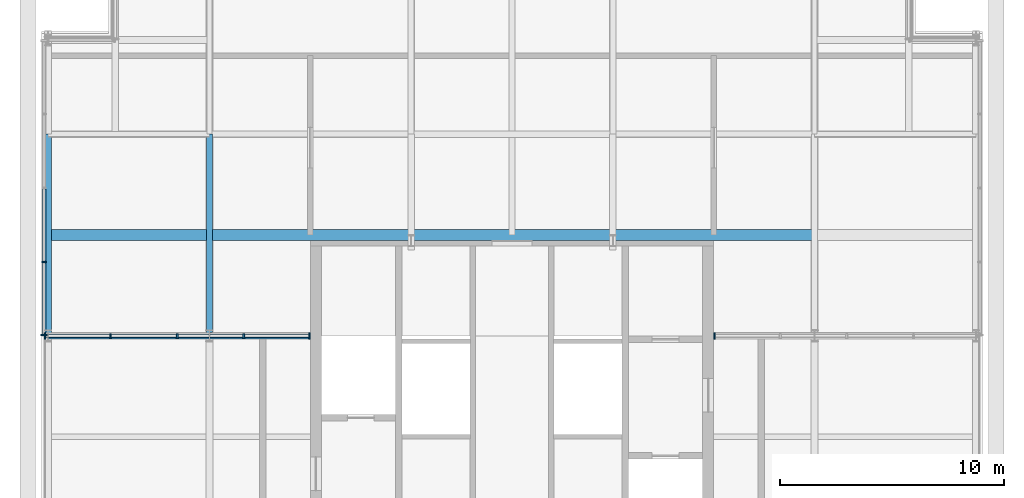
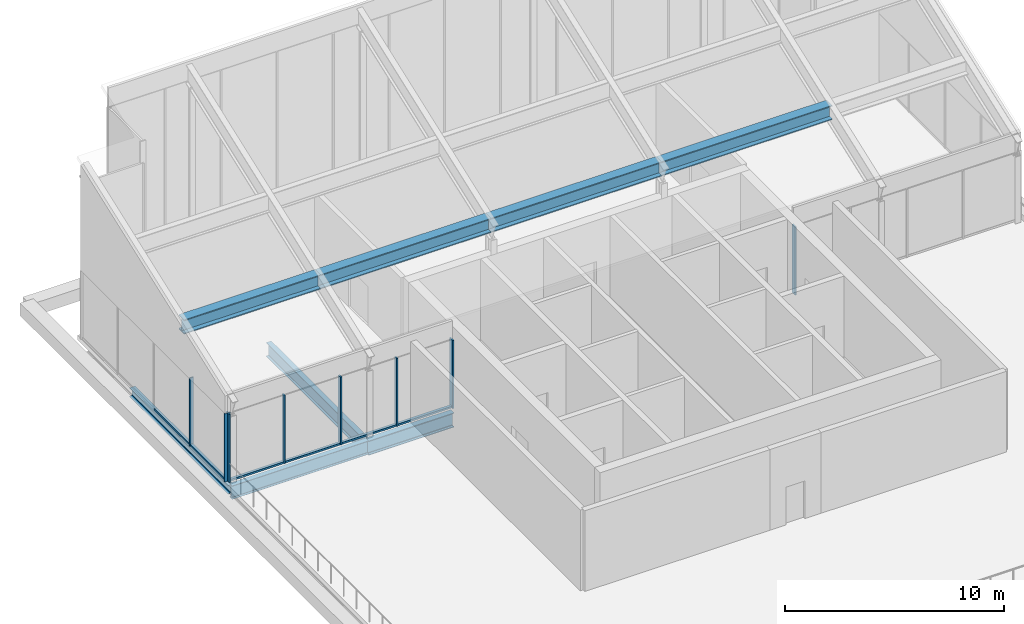
# One storey, part 2 of 10: 18 members, 4 beams, 3 elements without a shape of their own.
"""IFC4 building model written with IfcOpenShell, lengths in metres."""

from ifc_helpers import new_model, si_unit, direction, frame, origin, origin_2d, place, context, subcontext, project, spatial, rectangle, i_section, extrude, material, layer, layer_set, material_profile, profile_set, type_object, element, aggregate, save


model = new_model("IFC4")

# Units and contexts
model_context = context("Model", 3, precision=1e-05, world=origin(), true_north=direction((0.0, 1.0)))
body_context = subcontext(model_context, "Body", "Model", "MODEL_VIEW")
ifc_project = project(units=[si_unit("LENGTHUNIT", "METRE"), si_unit("AREAUNIT", "SQUARE_METRE"), si_unit("VOLUMEUNIT", "CUBIC_METRE"), si_unit("PLANEANGLEUNIT", "RADIAN"), si_unit("MASSUNIT", "GRAM", prefix="KILO")], contexts=[model_context])

# Site, building, storey
site_placement = place(None, origin())
site = spatial("IfcSite", under=ifc_project, at=site_placement, CompositionType="ELEMENT")
building_placement = place(site_placement, origin())
building = spatial("IfcBuilding", under=site, at=building_placement, Name="Malebo Sky Hospital", CompositionType="ELEMENT")
storey_placement = place(building_placement, frame((0.0, 0.0, 290.0)))
storey = spatial("IfcBuildingStorey", under=building, at=storey_placement, Name="RF", CompositionType="ELEMENT", Elevation=290.0)

# Curtain wall, members
ifc_material_1 = material(Name="Anodised aluminium, natural silver", Category="aluminium")
ifc_layer = layer(ifc_material_1, 0.25)
ifc_layer_set = layer_set([ifc_layer], Name="PENTHOUSE LOUVRE SCREEN")
curtain_wall_type = type_object("IfcCurtainWallType", Name="PENTHOUSE LOUVRE SCREEN", PredefinedType="NOTDEFINED", material=ifc_layer_set)
curtain_wall_1_placement = place(storey_placement, origin())
curtain_wall_1 = element("IfcCurtainWall", 1, at=curtain_wall_1_placement, inside=storey, type_object=curtain_wall_type, Name="ROOF curtain wall SW", PredefinedType="NOTDEFINED")
ifc_material_profile_1 = material_profile(ifc_material_1, rectangle(XDim=0.14990234375, YDim=0.10009765625, at=origin_2d()), Name="ALUMINIUM TRANSOM 150x100")
ifc_profile_set_1 = profile_set([ifc_material_profile_1], Name="Anodised aluminium, natural silver")
member_type_1 = type_object("IfcMemberType", Name="ALUMINIUM TRANSOM 150x100", PredefinedType="USERDEFINED", material=ifc_profile_set_1)
member_1_placement = place(storey_placement, frame((39.199951171875, 66.5, 0.050048828125), z_axis=(1.0, 0.0, 0.0), x_axis=(0.0, 1.0, 0.0)))
member_1 = element("IfcMember", 2, at=member_1_placement, type_object=member_type_1, Name="Transom 1", ObjectType="TRANSOM", PredefinedType="USERDEFINED", context=body_context, shape_type="SweptSolid", body=[
    extrude(rectangle(XDim=0.14990234375, YDim=0.10009765625, at=origin_2d()), origin(), (0.0, 0.0, 1.0), 2.8564453125),
])
member_2_placement = place(storey_placement, frame((42.13134765625, 66.5, 0.050048828125), z_axis=(1.0, 0.0, 0.0), x_axis=(0.0, 1.0, 0.0)))
member_2 = element("IfcMember", 3, at=member_2_placement, type_object=member_type_1, Name="Transom 2", ObjectType="TRANSOM", PredefinedType="USERDEFINED", context=body_context, shape_type="SweptSolid", body=[
    extrude(rectangle(XDim=0.14990234375, YDim=0.10009765625, at=origin_2d()), origin(), (0.0, 0.0, 1.0), 2.8935546875),
])
member_3_placement = place(storey_placement, frame((45.10009765625, 66.5, 0.050048828125), z_axis=(1.0, 0.0, 0.0), x_axis=(0.0, 1.0, 0.0)))
member_3 = element("IfcMember", 4, at=member_3_placement, type_object=member_type_1, Name="Transom 3", ObjectType="TRANSOM", PredefinedType="USERDEFINED", context=body_context, shape_type="SweptSolid", body=[
    extrude(rectangle(XDim=0.14990234375, YDim=0.10009765625, at=origin_2d()), origin(), (0.0, 0.0, 1.0), 2.8935546875),
])
member_4_placement = place(storey_placement, frame((48.068603515625, 66.5, 0.050048828125), z_axis=(1.0, 0.0, 0.0), x_axis=(0.0, 1.0, 0.0)))
member_4 = element("IfcMember", 5, at=member_4_placement, type_object=member_type_1, Name="Transom 4", ObjectType="TRANSOM", PredefinedType="USERDEFINED", context=body_context, shape_type="SweptSolid", body=[
    extrude(rectangle(XDim=0.14990234375, YDim=0.10009765625, at=origin_2d()), origin(), (0.0, 0.0, 1.0), 2.8564453125),
])

curtain_wall_2_placement = place(storey_placement, origin())
curtain_wall_2 = element("IfcCurtainWall", 6, at=curtain_wall_2_placement, inside=storey, type_object=curtain_wall_type, Name="ROOF curtain wall W", PredefinedType="NOTDEFINED")
member_5_placement = place(storey_placement, frame((39.125, 73.0625, 0.050048828125), z_axis=(0.0, -1.0, 0.0), x_axis=(1.0, 0.0, 0.0)))
member_5 = element("IfcMember", 7, at=member_5_placement, type_object=member_type_1, Name="Transom 3", ObjectType="TRANSOM", PredefinedType="USERDEFINED", context=body_context, shape_type="SweptSolid", body=[
    extrude(rectangle(XDim=0.14990234375, YDim=0.10009765625, at=origin_2d()), origin(), (0.0, 0.0, 1.0), 3.22509765625),
])
member_6_placement = place(storey_placement, frame((39.125, 69.762451171875, 0.050048828125), z_axis=(0.0, -1.0, 0.0), x_axis=(1.0, 0.0, 0.0)))
member_6 = element("IfcMember", 8, at=member_6_placement, type_object=member_type_1, Name="Transom 4", ObjectType="TRANSOM", PredefinedType="USERDEFINED", context=body_context, shape_type="SweptSolid", body=[
    extrude(rectangle(XDim=0.14990234375, YDim=0.10009765625, at=origin_2d()), origin(), (0.0, 0.0, 1.0), 3.1875),
])

# Members
ifc_material_2 = material(Name="Steel S355", Category="steel")
ifc_material_profile_2 = material_profile(ifc_material_2, i_section(OverallWidth=0.5, OverallDepth=0.800048828125, WebThickness=0.030029296875, FlangeThickness=0.050048828125, at=origin_2d()), Name="PG 800x500x30x50")
ifc_profile_set_2 = profile_set([ifc_material_profile_2], Name="Steel S355")
member_type_2 = type_object("IfcMemberType", Name="CROWN PURLIN PG 800x500x30x50", PredefinedType="PURLIN", material=ifc_profile_set_2)
member_7_placement = place(storey_placement, frame((39.300048828125, 71.0, 5.960693359375), z_axis=(1.0, 0.0, 0.0), x_axis=(0.0, 1.0, 0.0)))
element("IfcMember", 9, at=member_7_placement, inside=storey, type_object=member_type_2, Name="Crown purlin +9.0", PredefinedType="PURLIN", context=body_context, shape_type="SweptSolid", body=[
    extrude(i_section(OverallWidth=0.5, OverallDepth=0.800048828125, WebThickness=0.030029296875, FlangeThickness=0.050048828125, at=origin_2d()), origin(), (0.0, 0.0, 1.0), 7.199951171875),
])
for number, where, z_axis, x_axis, name in (
    (10, (46.5, 71.0, 5.960693359375), (1.0, 0.0, 0.0), (0.0, 1.0, 0.0), "Crown purlin +9.0"),
    (11, (55.5, 71.0, 5.960693359375), (1.0, 0.0, 0.0), (0.0, 1.0, 0.0), "Crown purlin +9.0"),
    (12, (64.5, 71.0, 5.960693359375), (1.0, 0.0, 0.0), (0.0, 1.0, 0.0), "Crown purlin +9.0"),
):
    element("IfcMember", number, at=place(storey_placement, frame(where, z_axis=z_axis, x_axis=x_axis)), inside=storey, type_object=member_type_2, Name=name, PredefinedType="PURLIN", context=body_context, shape_type="SweptSolid", body=[
        extrude(i_section(OverallWidth=0.5, OverallDepth=0.800048828125, WebThickness=0.030029296875, FlangeThickness=0.050048828125, at=origin_2d()), origin(), (0.0, 0.0, 1.0), 9.0),
    ])

# Member
ifc_material_profile_3 = material_profile(ifc_material_1, rectangle(XDim=0.074951171875, YDim=0.199951171875, at=origin_2d()), Name="CW6 ALUMINIUM FIN MULLION 75x200")
ifc_profile_set_3 = profile_set([ifc_material_profile_3], Name="Anodised aluminium, natural silver")
member_type_3 = type_object("IfcMemberType", Name="CW6 ALUMINIUM FIN MULLION 75x200", PredefinedType="MULLION", material=ifc_profile_set_3)
member_8_placement = place(storey_placement, frame((42.09375, 66.5, 0.0), z_axis=(0.0, 0.0, 1.0), x_axis=(1.0, 0.0, 0.0)))
member_8 = element("IfcMember", 13, at=member_8_placement, type_object=member_type_3, Name="Fin mullion 2", PredefinedType="MULLION", context=body_context, shape_type="SweptSolid", body=[
    extrude(rectangle(XDim=0.074951171875, YDim=0.199951171875, at=origin_2d()), origin(), (0.0, 0.0, 1.0), 3.800048828125),
])

member_9_placement = place(storey_placement, frame((45.0625, 66.5, 0.0), z_axis=(0.0, 0.0, 1.0), x_axis=(1.0, 0.0, 0.0)))
member_9 = element("IfcMember", 14, at=member_9_placement, type_object=member_type_3, Name="Fin mullion 3", PredefinedType="MULLION", context=body_context, shape_type="SweptSolid", body=[
    extrude(rectangle(XDim=0.074951171875, YDim=0.199951171875, at=origin_2d()), origin(), (0.0, 0.0, 1.0), 3.800048828125),
])

member_10_placement = place(storey_placement, frame((48.03125, 66.5, 0.0), z_axis=(0.0, 0.0, 1.0), x_axis=(1.0, 0.0, 0.0)))
member_10 = element("IfcMember", 15, at=member_10_placement, type_object=member_type_3, Name="Fin mullion 4", PredefinedType="MULLION", context=body_context, shape_type="SweptSolid", body=[
    extrude(rectangle(XDim=0.074951171875, YDim=0.199951171875, at=origin_2d()), origin(), (0.0, 0.0, 1.0), 3.800048828125),
])

member_11_placement = place(storey_placement, frame((39.125, 69.800048828125, 0.0), z_axis=(0.0, 0.0, 1.0), x_axis=(0.0, -1.0, 0.0)))
member_11 = element("IfcMember", 16, at=member_11_placement, type_object=member_type_3, Name="Fin mullion 4", PredefinedType="MULLION", context=body_context, shape_type="SweptSolid", body=[
    extrude(rectangle(XDim=0.074951171875, YDim=0.199951171875, at=origin_2d()), origin(), (0.0, 0.0, 1.0), 3.800048828125),
])

ifc_material_profile_4 = material_profile(ifc_material_1, rectangle(XDim=0.074951171875, YDim=0.300048828125, at=origin_2d()), Name="CW6 ALUMINIUM FIN MULLION 75x300")
ifc_profile_set_4 = profile_set([ifc_material_profile_4], Name="Anodised aluminium, natural silver")
member_type_4 = type_object("IfcMemberType", Name="CW6 ALUMINIUM FIN MULLION 75x300", PredefinedType="MULLION", material=ifc_profile_set_4)
member_12_placement = place(storey_placement, frame((39.16259765625, 66.5, 0.0), z_axis=(0.0, 0.0, 1.0), x_axis=(1.0, 0.0, 0.0)))
member_12 = element("IfcMember", 17, at=member_12_placement, type_object=member_type_4, Name="Fin mullion 1", PredefinedType="MULLION", context=body_context, shape_type="SweptSolid", body=[
    extrude(rectangle(XDim=0.074951171875, YDim=0.300048828125, at=origin_2d()), origin(), (0.0, 0.0, 1.0), 3.800048828125),
])

member_13_placement = place(storey_placement, frame((50.96240234375, 66.5, 0.0), z_axis=(0.0, 0.0, 1.0), x_axis=(1.0, 0.0, 0.0)))
member_13 = element("IfcMember", 18, at=member_13_placement, type_object=member_type_4, Name="Fin mullion 5", PredefinedType="MULLION", context=body_context, shape_type="SweptSolid", body=[
    extrude(rectangle(XDim=0.074951171875, YDim=0.300048828125, at=origin_2d()), origin(), (0.0, 0.0, 1.0), 3.800048828125),
])

aggregate(curtain_wall_1, [member_12, member_8, member_9, member_10, member_13, member_1, member_2, member_3, member_4])

# Curtain wall, member
curtain_wall_3_placement = place(storey_placement, origin())
curtain_wall_3 = element("IfcCurtainWall", 19, at=curtain_wall_3_placement, inside=storey, type_object=curtain_wall_type, Name="ROOF curtain wall SE", PredefinedType="NOTDEFINED")
member_14_placement = place(storey_placement, frame((69.03759765625, 66.5, 0.0), z_axis=(0.0, 0.0, 1.0), x_axis=(1.0, 0.0, 0.0)))
member_14 = element("IfcMember", 20, at=member_14_placement, type_object=member_type_4, Name="Fin mullion 1", PredefinedType="MULLION", context=body_context, shape_type="SweptSolid", body=[
    extrude(rectangle(XDim=0.074951171875, YDim=0.300048828125, at=origin_2d()), origin(), (0.0, 0.0, 1.0), 3.800048828125),
])
aggregate(curtain_wall_3, [member_14])

# Member
member_15_placement = place(storey_placement, frame((39.125, 66.53759765625, 0.0), z_axis=(0.0, 0.0, 1.0), x_axis=(0.0, -1.0, 0.0)))
member_15 = element("IfcMember", 21, at=member_15_placement, type_object=member_type_4, Name="Fin mullion 5", PredefinedType="MULLION", context=body_context, shape_type="SweptSolid", body=[
    extrude(rectangle(XDim=0.074951171875, YDim=0.300048828125, at=origin_2d()), origin(), (0.0, 0.0, 1.0), 3.800048828125),
])

aggregate(curtain_wall_2, [member_11, member_15, member_5, member_6])

# Beams
ifc_material_profile_5 = material_profile(ifc_material_2, i_section(OverallWidth=0.300048828125, OverallDepth=0.489990234375, WebThickness=0.011962890625, FlangeThickness=0.02294921875, FilletRadius=0.027099609375, at=origin_2d()), Name="HEA 500")
ifc_profile_set_5 = profile_set([ifc_material_profile_5], Name="Steel S355")
beam_type_1 = type_object("IfcBeamType", Name="EDGE BEAM HEA 500", PredefinedType="BEAM", material=ifc_profile_set_5)
beam_1_placement = place(storey_placement, frame((39.300048828125, 66.5, -0.4951171875), z_axis=(0.0, 1.0, 0.0), x_axis=(-1.0, 0.0, 0.0)))
element("IfcBeam", 22, at=beam_1_placement, inside=storey, type_object=beam_type_1, Name="Beam 003 RF", PredefinedType="BEAM", context=body_context, shape_type="SweptSolid", body=[
    extrude(i_section(OverallWidth=0.300048828125, OverallDepth=0.489990234375, WebThickness=0.011962890625, FlangeThickness=0.02294921875, FilletRadius=0.027099609375, at=origin_2d()), origin(), (0.0, 0.0, 1.0), 9.0),
])
ifc_material_profile_6 = material_profile(ifc_material_2, i_section(OverallWidth=0.300048828125, OverallDepth=0.800048828125, WebThickness=0.017578125, FlangeThickness=0.032958984375, FilletRadius=0.030029296875, at=origin_2d()), Name="HEB 800")
ifc_profile_set_6 = profile_set([ifc_material_profile_6], Name="Steel S355")
beam_type_2 = type_object("IfcBeamType", Name="FLOOR BEAM HEB 800", PredefinedType="BEAM", material=ifc_profile_set_6)
beam_2_placement = place(storey_placement, frame((46.5, 66.5, -0.64990234375), z_axis=(1.0, 0.0, 0.0), x_axis=(0.0, 1.0, 0.0)))
element("IfcBeam", 23, at=beam_2_placement, inside=storey, type_object=beam_type_2, Name="Beam 053 RF", PredefinedType="BEAM", context=body_context, shape_type="SweptSolid", body=[
    extrude(i_section(OverallWidth=0.300048828125, OverallDepth=0.800048828125, WebThickness=0.017578125, FlangeThickness=0.032958984375, FilletRadius=0.030029296875, at=origin_2d()), origin(), (0.0, 0.0, 1.0), 4.5),
])
ifc_material_profile_7 = material_profile(ifc_material_2, i_section(OverallWidth=0.262939453125, OverallDepth=0.7529296875, WebThickness=0.011474609375, FlangeThickness=0.01708984375, FilletRadius=0.01708984375, at=origin_2d()), Name="IPE 750x137")
ifc_profile_set_7 = profile_set([ifc_material_profile_7], Name="Steel S355")
beam_type_3 = type_object("IfcBeamType", Name="FLOOR BEAM IPE 750x137", PredefinedType="BEAM", material=ifc_profile_set_7)
beam_3_placement = place(storey_placement, frame((39.300048828125, 66.5, -0.62646484375), z_axis=(1.0, 0.0, 0.0), x_axis=(0.0, 1.0, 0.0)))
element("IfcBeam", 24, at=beam_3_placement, inside=storey, type_object=beam_type_3, Name="Beam 052 RF", PredefinedType="BEAM", context=body_context, shape_type="SweptSolid", body=[
    extrude(i_section(OverallWidth=0.262939453125, OverallDepth=0.7529296875, WebThickness=0.011474609375, FlangeThickness=0.01708984375, FilletRadius=0.01708984375, at=origin_2d()), origin(), (0.0, 0.0, 1.0), 7.199951171875),
])
ifc_material_profile_8 = material_profile(ifc_material_2, i_section(OverallWidth=0.26806640625, OverallDepth=0.77001953125, WebThickness=0.015625, FlangeThickness=0.025390625, FilletRadius=0.01708984375, at=origin_2d()), Name="IPE 750x196")
ifc_profile_set_8 = profile_set([ifc_material_profile_8], Name="Steel S355")
beam_type_4 = type_object("IfcBeamType", Name="FLOOR BEAM IPE 750x196", PredefinedType="BEAM", material=ifc_profile_set_8)
beam_4_placement = place(storey_placement, frame((46.5, 66.5, -0.635009765625), z_axis=(0.0, 1.0, 0.0), x_axis=(-1.0, 0.0, 0.0)))
element("IfcBeam", 25, at=beam_4_placement, inside=storey, type_object=beam_type_4, Name="Beam 010 RF", PredefinedType="BEAM", context=body_context, shape_type="SweptSolid", body=[
    extrude(i_section(OverallWidth=0.26806640625, OverallDepth=0.77001953125, WebThickness=0.015625, FlangeThickness=0.025390625, FilletRadius=0.01708984375, at=origin_2d()), origin(), (0.0, 0.0, 1.0), 9.0),
])

save(model, "model.ifc")
